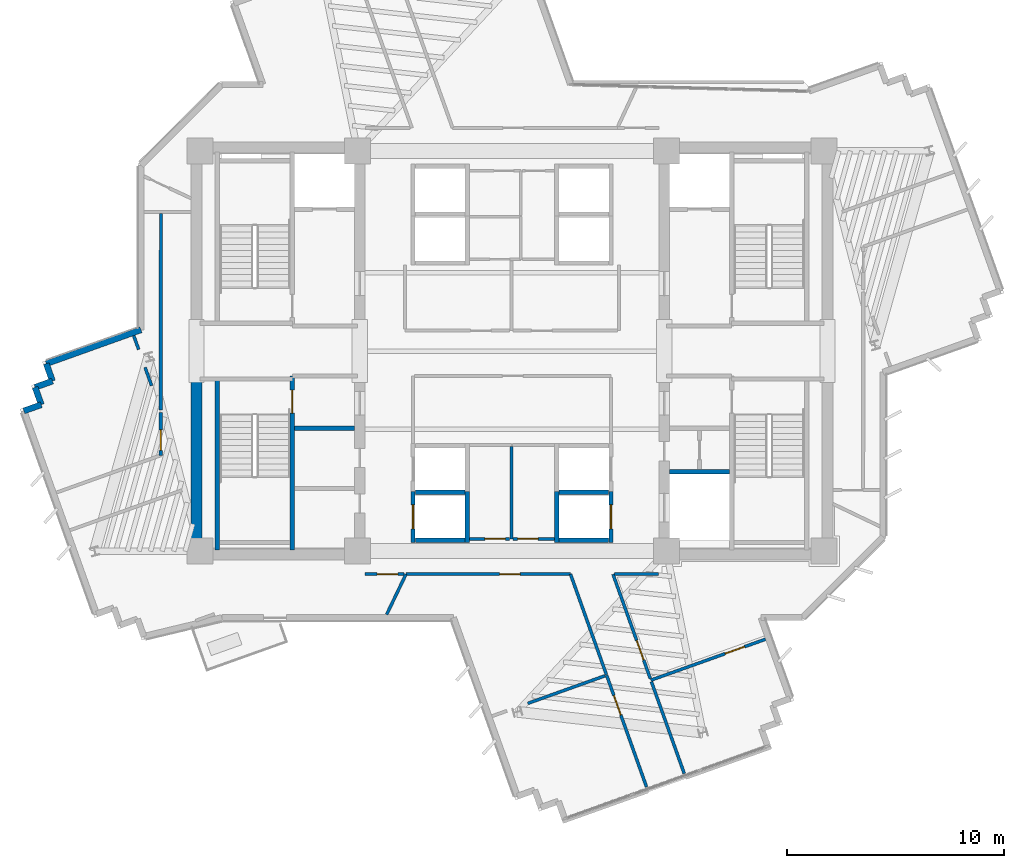
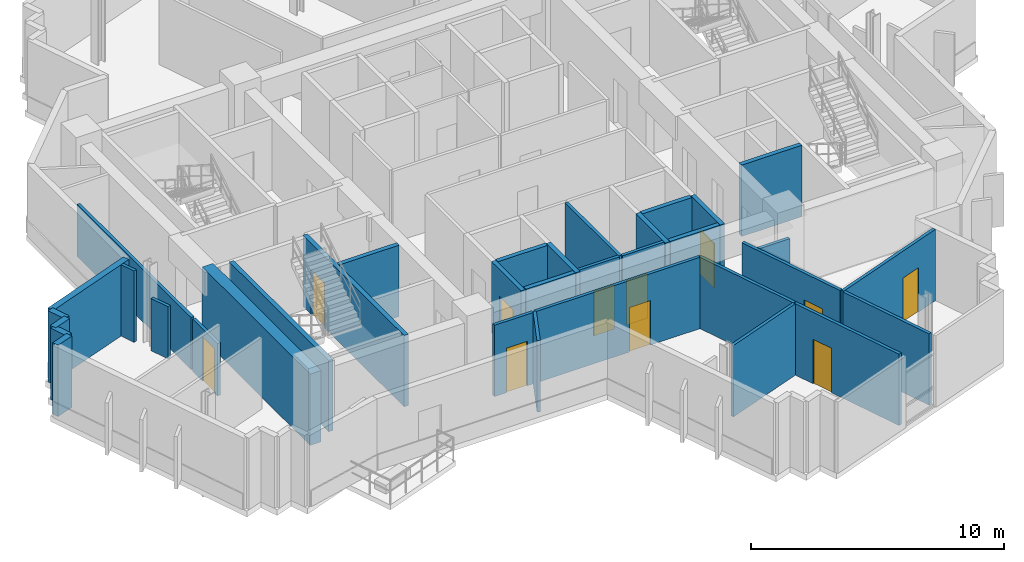
# One storey, part 6 of 13: 35 walls, 11 doors, 11 openings.
"""IFC4 building model written with IfcOpenShell, lengths in metres."""

from ifc_helpers import new_model, si_unit, direction, frame, frame_2d, origin, place, context, subcontext, project, spatial, rectangle, extrude, source, transform, mapped, material, layer, layer_set, type_object, element, fill, save


model = new_model("IFC4")

# Units and contexts
model_context = context("Model", 3, precision=1e-05, world=origin(), true_north=direction((0.0, 1.0)))
body_context = subcontext(model_context, "Body", "Model", "MODEL_VIEW")
ifc_project = project(units=[si_unit("LENGTHUNIT", "METRE"), si_unit("AREAUNIT", "SQUARE_METRE"), si_unit("VOLUMEUNIT", "CUBIC_METRE"), si_unit("PLANEANGLEUNIT", "RADIAN"), si_unit("MASSUNIT", "GRAM", prefix="KILO")], contexts=[model_context])

# Site, building, storey
site_placement = place(None, origin())
site = spatial("IfcSite", under=ifc_project, at=site_placement, CompositionType="ELEMENT")
building_placement = place(site_placement, origin())
building = spatial("IfcBuilding", under=site, at=building_placement, Name="Zahravan Cultural Tower", CompositionType="ELEMENT")
storey_placement = place(building_placement, frame((0.0, 0.0, 225.300048828125)))
storey = spatial("IfcBuildingStorey", under=building, at=storey_placement, Name="L53", CompositionType="ELEMENT", Elevation=225.300048828125)

# Wall, opening, door
ifc_material_1 = material(Name="Gypsum plasterboard partition")
ifc_layer_1 = layer(ifc_material_1, 0.139892578125)
ifc_layer_set_1 = layer_set([ifc_layer_1], Name="Gypsum plasterboard partition")
wall_type_1 = type_object("IfcWallType", Name="W-PART-140", PredefinedType="PARTITIONING", material=ifc_layer_set_1)
wall_1_placement = place(storey_placement, frame((35.89501953125, 18.360107421875, 0.0), z_axis=(0.0, 0.0, 1.0), x_axis=(-1.0, 0.0, 0.0)))
wall_1 = element("IfcWall", 1, at=wall_1_placement, inside=storey, type_object=wall_type_1, Name="L53 Interior Wall 065", PredefinedType="PARTITIONING", context=body_context, shape_type="SweptSolid", body=[
    extrude(rectangle(XDim=1.840087890625, YDim=0.139892578125, at=frame_2d((0.919921875, 0.0))), origin(), (0.0, 0.0, 1.0), 3.449951171875),
])
opening_1_placement = place(wall_1_placement, frame((0.19580078125, 0.0, 0.0)))
opening_1 = element("IfcOpeningElement", 2, at=opening_1_placement, cuts=wall_1, Name="Opening D-L53-18", PredefinedType="OPENING", context=body_context, shape_type="SweptSolid", body=[
    extrude(rectangle(XDim=0.949951171875, YDim=2.14990234375, at=frame_2d((0.47509765625, 1.074951171875))), frame((0.0, 0.079833984375, 0.0), z_axis=(0.0, -1.0, 0.0), x_axis=(1.0, 0.0, 0.0)), (0.0, 0.0, 1.0), 0.159912109375),
])
ifc_material_2 = material(Name="Anodised bronze-aluminium mullion", Category="aluminium")
door_type_1 = type_object("IfcDoorType", Name="DR-ROOM-950", OperationType="NOTDEFINED", PredefinedType="DOOR", material=ifc_material_2)
shared_shape_1 = source(origin(), body_context, "Body", "SweptSolid", [
    extrude(rectangle(XDim=0.949951171875, YDim=2.14990234375, at=frame_2d((0.47509765625, 1.074951171875))), frame((0.0, 0.02490234375, 0.0), z_axis=(0.0, -1.0, 0.0), x_axis=(1.0, 0.0, 0.0)), (0.0, 0.0, 1.0), 0.050048828125),
])
door_1_placement = place(opening_1_placement, origin())
door_1 = element("IfcDoor", 3, at=door_1_placement, inside=storey, type_object=door_type_1, Name="L53 Door D-L53-18", OperationType="SINGLE_SWING_RIGHT", OverallHeight=2.14990234375, OverallWidth=0.949951171875, PredefinedType="DOOR", context=body_context, shape_type="MappedRepresentation", body=[
    mapped(shared_shape_1, transform((0.0, 0.0, 0.0), x_axis=(1.0, 0.0, 0.0), y_axis=(0.0, 1.0, 0.0), z_axis=(0.0, 0.0, 1.0), scale=1.0)),
])
fill(opening_1, door_1)

wall_2_placement = place(storey_placement, frame((37.945068359375, 18.360107421875, 0.0), z_axis=(0.0, 0.0, 1.0), x_axis=(-1.0, 0.0, 0.0)))
wall_2 = element("IfcWall", 4, at=wall_2_placement, inside=storey, type_object=wall_type_1, Name="L53 Interior Wall 067", PredefinedType="PARTITIONING", context=body_context, shape_type="SweptSolid", body=[
    extrude(rectangle(XDim=1.900146484375, YDim=0.139892578125, at=frame_2d((0.9501953125, 0.0))), origin(), (0.0, 0.0, 1.0), 3.449951171875),
])
opening_2_placement = place(wall_2_placement, frame((0.740966796875, 0.0, 0.0)))
opening_2 = element("IfcOpeningElement", 5, at=opening_2_placement, cuts=wall_2, Name="Opening D-L53-19", PredefinedType="OPENING", context=body_context, shape_type="SweptSolid", body=[
    extrude(rectangle(XDim=0.949951171875, YDim=2.14990234375, at=frame_2d((0.47509765625, 1.074951171875))), frame((0.0, 0.079833984375, 0.0), z_axis=(0.0, -1.0, 0.0), x_axis=(1.0, 0.0, 0.0)), (0.0, 0.0, 1.0), 0.159912109375),
])
door_2_placement = place(opening_2_placement, origin())
door_2 = element("IfcDoor", 6, at=door_2_placement, inside=storey, type_object=door_type_1, Name="L53 Door D-L53-19", OperationType="SINGLE_SWING_LEFT", OverallHeight=2.14990234375, OverallWidth=0.949951171875, PredefinedType="DOOR", context=body_context, shape_type="MappedRepresentation", body=[
    mapped(shared_shape_1, transform((0.0, 0.0, 0.0), x_axis=(1.0, 0.0, 0.0), y_axis=(0.0, 1.0, 0.0), z_axis=(0.0, 0.0, 1.0), scale=1.0)),
])
fill(opening_2, door_2)

wall_3_placement = place(storey_placement, frame((42.3857421875, 11.8662109375, 0.0), z_axis=(0.0, 0.0, 1.0), x_axis=(0.94166093099, 0.336563056568, 0.0)))
wall_3 = element("IfcWall", 7, at=wall_3_placement, inside=storey, type_object=wall_type_1, Name="L53 Interior Wall 083", PredefinedType="PARTITIONING", context=body_context, shape_type="SweptSolid", body=[
    extrude(rectangle(XDim=5.594970703125, YDim=0.139892578125, at=frame_2d((2.79736328125, 0.0))), origin(), (0.0, 0.0, 1.0), 3.449951171875),
])
opening_3_placement = place(wall_3_placement, frame((3.623046875, 0.0, 0.0)))
opening_3 = element("IfcOpeningElement", 8, at=opening_3_placement, cuts=wall_3, Name="Opening D-L53-31", PredefinedType="OPENING", context=body_context, shape_type="SweptSolid", body=[
    extrude(rectangle(XDim=0.949951171875, YDim=2.14990234375, at=frame_2d((0.47509765625, 1.074951171875))), frame((0.0, 0.079833984375, 0.0), z_axis=(0.0, -1.0, 0.0), x_axis=(1.0, 0.0, 0.0)), (0.0, 0.0, 1.0), 0.159912109375),
])
door_3_placement = place(opening_3_placement, origin())
door_3 = element("IfcDoor", 9, at=door_3_placement, inside=storey, type_object=door_type_1, Name="L53 Door D-L53-31", OperationType="SINGLE_SWING_LEFT", OverallHeight=2.14990234375, OverallWidth=0.949951171875, PredefinedType="DOOR", context=body_context, shape_type="MappedRepresentation", body=[
    mapped(shared_shape_1, transform((0.0, 0.0, 0.0), x_axis=(1.0, 0.0, 0.0), y_axis=(0.0, 1.0, 0.0), z_axis=(0.0, 0.0, 1.0), scale=1.0)),
])
fill(opening_3, door_3)

wall_4_placement = place(storey_placement, frame((40.35009765625, 12.094482421875, 0.0), z_axis=(0.0, 0.0, 1.0), x_axis=(0.336563203689, -0.941660878407, 0.0)))
wall_4 = element("IfcWall", 10, at=wall_4_placement, inside=storey, type_object=wall_type_1, Name="L53 Interior Wall 089", PredefinedType="PARTITIONING", context=body_context, shape_type="SweptSolid", body=[
    extrude(rectangle(XDim=5.455078125, YDim=0.139892578125, at=frame_2d((2.7275390625, 0.0))), origin(), (0.0, 0.0, 1.0), 3.449951171875),
])
opening_4_placement = place(wall_4_placement, frame((0.9912109375, 0.0, 0.0)))
opening_4 = element("IfcOpeningElement", 11, at=opening_4_placement, cuts=wall_4, Name="Opening D-L53-27", PredefinedType="OPENING", context=body_context, shape_type="SweptSolid", body=[
    extrude(rectangle(XDim=0.949951171875, YDim=2.14990234375, at=frame_2d((0.47509765625, 1.074951171875))), frame((0.0, 0.079833984375, 0.0), z_axis=(0.0, -1.0, 0.0), x_axis=(1.0, 0.0, 0.0)), (0.0, 0.0, 1.0), 0.159912109375),
])
door_4_placement = place(opening_4_placement, origin())
door_4 = element("IfcDoor", 12, at=door_4_placement, inside=storey, type_object=door_type_1, Name="L53 Door D-L53-27", OperationType="SINGLE_SWING_LEFT", OverallHeight=2.14990234375, OverallWidth=0.949951171875, PredefinedType="DOOR", context=body_context, shape_type="MappedRepresentation", body=[
    mapped(shared_shape_1, transform((0.0, 0.0, 0.0), x_axis=(1.0, 0.0, 0.0), y_axis=(0.0, 1.0, 0.0), z_axis=(0.0, 0.0, 1.0), scale=1.0)),
])
fill(opening_4, door_4)

wall_5_placement = place(storey_placement, frame((19.85009765625, 24.1708984375, 0.0), z_axis=(0.0, 0.0, 1.0), x_axis=(0.0, -1.0, 0.0)))
wall_5 = element("IfcWall", 13, at=wall_5_placement, inside=storey, type_object=wall_type_1, Name="L53 Interior Wall 095", PredefinedType="PARTITIONING", context=body_context, shape_type="SweptSolid", body=[
    extrude(rectangle(XDim=1.9658203125, YDim=0.139892578125, at=frame_2d((0.98291015625, 0.0))), origin(), (0.0, 0.0, 1.0), 2.52294921875),
])
opening_5_placement = place(wall_5_placement, frame((0.79248046875, 0.0, 0.0)))
opening_5 = element("IfcOpeningElement", 14, at=opening_5_placement, cuts=wall_5, Name="Opening D-L53-24", PredefinedType="OPENING", context=body_context, shape_type="SweptSolid", body=[
    extrude(rectangle(XDim=0.949951171875, YDim=2.14990234375, at=frame_2d((0.47509765625, 1.074951171875))), frame((0.0, 0.079833984375, 0.0), z_axis=(0.0, -1.0, 0.0), x_axis=(1.0, 0.0, 0.0)), (0.0, 0.0, 1.0), 0.159912109375),
])
door_5_placement = place(opening_5_placement, origin())
door_5 = element("IfcDoor", 15, at=door_5_placement, inside=storey, type_object=door_type_1, Name="L53 Door D-L53-24", OperationType="SINGLE_SWING_RIGHT", OverallHeight=2.14990234375, OverallWidth=0.949951171875, PredefinedType="DOOR", context=body_context, shape_type="MappedRepresentation", body=[
    mapped(shared_shape_1, transform((0.0, 0.0, 0.0), x_axis=(1.0, 0.0, 0.0), y_axis=(0.0, 1.0, 0.0), z_axis=(0.0, 0.0, 1.0), scale=1.0)),
])
fill(opening_5, door_5)

wall_6_placement = place(storey_placement, frame((31.126220703125, 16.739990234375, 0.0), z_axis=(0.0, 0.0, 1.0), x_axis=(1.0, 0.0, 0.0)))
wall_6 = element("IfcWall", 16, at=wall_6_placement, inside=storey, type_object=wall_type_1, Name="L53 Interior Wall 097", PredefinedType="PARTITIONING", context=body_context, shape_type="SweptSolid", body=[
    extrude(rectangle(XDim=7.563720703125, YDim=0.139892578125, at=frame_2d((3.78173828125, 0.0))), origin(), (0.0, 0.0, 1.0), 3.449951171875),
])
opening_6_placement = place(wall_6_placement, frame((4.299072265625, 0.0, 0.0)))
opening_6 = element("IfcOpeningElement", 17, at=opening_6_placement, cuts=wall_6, Name="Opening D-L53-26", PredefinedType="OPENING", context=body_context, shape_type="SweptSolid", body=[
    extrude(rectangle(XDim=0.949951171875, YDim=2.14990234375, at=frame_2d((0.47509765625, 1.074951171875))), frame((0.0, 0.079833984375, 0.0), z_axis=(0.0, -1.0, 0.0), x_axis=(1.0, 0.0, 0.0)), (0.0, 0.0, 1.0), 0.159912109375),
])
door_6_placement = place(opening_6_placement, origin())
door_6 = element("IfcDoor", 18, at=door_6_placement, inside=storey, type_object=door_type_1, Name="L53 Door D-L53-26", OperationType="SINGLE_SWING_RIGHT", OverallHeight=2.14990234375, OverallWidth=0.949951171875, PredefinedType="DOOR", context=body_context, shape_type="MappedRepresentation", body=[
    mapped(shared_shape_1, transform((0.0, 0.0, 0.0), x_axis=(1.0, 0.0, 0.0), y_axis=(0.0, 1.0, 0.0), z_axis=(0.0, 0.0, 1.0), scale=1.0)),
])
fill(opening_6, door_6)

wall_7_placement = place(storey_placement, frame((42.360595703125, 11.93701171875, 0.0), z_axis=(0.0, 0.0, 1.0), x_axis=(-0.336588056289, 0.941651995359, 0.0)))
wall_7 = element("IfcWall", 19, at=wall_7_placement, inside=storey, type_object=wall_type_1, Name="L53 Interior Wall 100", PredefinedType="PARTITIONING", context=body_context, shape_type="SweptSolid", body=[
    extrude(rectangle(XDim=5.1005859375, YDim=0.139892578125, at=frame_2d((2.55029296875, 0.0))), origin(), (0.0, 0.0, 1.0), 3.449951171875),
])
opening_7_placement = place(wall_7_placement, frame((0.9130859375, 0.0, 0.0)))
opening_7 = element("IfcOpeningElement", 20, at=opening_7_placement, cuts=wall_7, Name="Opening D-L53-28", PredefinedType="OPENING", context=body_context, shape_type="SweptSolid", body=[
    extrude(rectangle(XDim=0.949951171875, YDim=2.14990234375, at=frame_2d((0.47509765625, 1.074951171875))), frame((0.0, 0.079833984375, 0.0), z_axis=(0.0, -1.0, 0.0), x_axis=(1.0, 0.0, 0.0)), (0.0, 0.0, 1.0), 0.159912109375),
])
door_7_placement = place(opening_7_placement, origin())
door_7 = element("IfcDoor", 21, at=door_7_placement, inside=storey, type_object=door_type_1, Name="L53 Door D-L53-28", OperationType="SINGLE_SWING_RIGHT", OverallHeight=2.14990234375, OverallWidth=0.949951171875, PredefinedType="DOOR", context=body_context, shape_type="MappedRepresentation", body=[
    mapped(shared_shape_1, transform((0.0, 0.0, 0.0), x_axis=(1.0, 0.0, 0.0), y_axis=(0.0, 1.0, 0.0), z_axis=(0.0, 0.0, 1.0), scale=1.0)),
])
fill(opening_7, door_7)

wall_8_placement = place(storey_placement, frame((29.251708984375, 16.74267578125, 0.0), z_axis=(0.0, 0.0, 1.0), x_axis=(0.999998876126, -0.00149924869, 0.0)))
wall_8 = element("IfcWall", 22, at=wall_8_placement, inside=storey, type_object=wall_type_1, Name="L53 Interior Wall 106", PredefinedType="PARTITIONING", context=body_context, shape_type="SweptSolid", body=[
    extrude(rectangle(XDim=1.791259765625, YDim=0.139892578125, at=frame_2d((0.8955078125, 0.0))), origin(), (0.0, 0.0, 1.0), 3.449951171875),
])
opening_8_placement = place(wall_8_placement, frame((0.546875, 0.0, 0.0)))
opening_8 = element("IfcOpeningElement", 23, at=opening_8_placement, cuts=wall_8, Name="Opening D-L53-25", PredefinedType="OPENING", context=body_context, shape_type="SweptSolid", body=[
    extrude(rectangle(XDim=0.949951171875, YDim=2.14990234375, at=frame_2d((0.47509765625, 1.074951171875))), frame((0.0, 0.079833984375, 0.0), z_axis=(0.0, -1.0, 0.0), x_axis=(1.0, 0.0, 0.0)), (0.0, 0.0, 1.0), 0.159912109375),
])
door_8_placement = place(opening_8_placement, origin())
door_8 = element("IfcDoor", 24, at=door_8_placement, inside=storey, type_object=door_type_1, Name="L53 Door D-L53-25", OperationType="SINGLE_SWING_LEFT", OverallHeight=2.14990234375, OverallWidth=0.949951171875, PredefinedType="DOOR", context=body_context, shape_type="MappedRepresentation", body=[
    mapped(shared_shape_1, transform((0.0, 0.0, 0.0), x_axis=(1.0, 0.0, 0.0), y_axis=(0.0, 1.0, 0.0), z_axis=(0.0, 0.0, 1.0), scale=1.0)),
])
fill(opening_8, door_8)

ifc_material_3 = material(Name="Concrete C45/55", Category="concrete")
ifc_layer_2 = layer(ifc_material_3, 0.199951171875)
ifc_layer_set_2 = layer_set([ifc_layer_2], Name="Concrete C45/55")
wall_type_2 = type_object("IfcWallType", Name="W-SHAFT-200", PredefinedType="SOLIDWALL", material=ifc_layer_set_2)
wall_9_placement = place(storey_placement, frame((25.89990234375, 17.85009765625, 0.0), z_axis=(0.0, 0.0, 1.0), x_axis=(0.0, 1.0, 0.0)))
wall_9 = element("IfcWall", 25, at=wall_9_placement, inside=storey, type_object=wall_type_2, Name="L53 Interior Wall 005", PredefinedType="SOLIDWALL", context=body_context, shape_type="SweptSolid", body=[
    extrude(rectangle(XDim=8.0, YDim=0.199951171875, at=frame_2d((4.0, 0.0))), origin(), (0.0, 0.0, 1.0), 3.449951171875),
])
opening_9_placement = place(wall_9_placement, frame((6.300048828125, 0.0, 0.0)))
opening_9 = element("IfcOpeningElement", 26, at=opening_9_placement, cuts=wall_9, Name="Opening D-L53-04", PredefinedType="OPENING", context=body_context, shape_type="SweptSolid", body=[
    extrude(rectangle(XDim=1.050048828125, YDim=2.14990234375, at=frame_2d((0.52490234375, 1.074951171875))), frame((0.0, 0.10986328125, 0.0), z_axis=(0.0, -1.0, 0.0), x_axis=(1.0, 0.0, 0.0)), (0.0, 0.0, 1.0), 0.219970703125),
])
ifc_material_4 = material(Name="Steel ASTM A572 Grade 50", Category="steel")
door_type_2 = type_object("IfcDoorType", Name="DR-STAIR-1050", OperationType="NOTDEFINED", PredefinedType="DOOR", material=ifc_material_4)
shared_shape_2 = source(origin(), body_context, "Body", "SweptSolid", [
    extrude(rectangle(XDim=1.050048828125, YDim=2.14990234375, at=frame_2d((0.52490234375, 1.074951171875))), frame((0.0, 0.02490234375, 0.0), z_axis=(0.0, -1.0, 0.0), x_axis=(1.0, 0.0, 0.0)), (0.0, 0.0, 1.0), 0.050048828125),
])
door_9_placement = place(opening_9_placement, origin())
door_9 = element("IfcDoor", 27, at=door_9_placement, inside=storey, type_object=door_type_2, Name="L53 Door D-L53-04", OperationType="SINGLE_SWING_RIGHT", OverallHeight=2.14990234375, OverallWidth=1.050048828125, PredefinedType="DOOR", context=body_context, shape_type="MappedRepresentation", body=[
    mapped(shared_shape_2, transform((0.0, 0.0, 0.0), x_axis=(1.0, 0.0, 0.0), y_axis=(0.0, 1.0, 0.0), z_axis=(0.0, 0.0, 1.0), scale=1.0)),
])
fill(opening_9, door_9)

wall_10_placement = place(storey_placement, frame((31.449951171875, 18.199951171875, 0.0), z_axis=(0.0, 0.0, 1.0), x_axis=(0.0, 1.0, 0.0)))
wall_10 = element("IfcWall", 28, at=wall_10_placement, inside=storey, type_object=wall_type_2, Name="L53 Interior Wall 046", PredefinedType="SOLIDWALL", context=body_context, shape_type="SweptSolid", body=[
    extrude(rectangle(XDim=2.35009765625, YDim=0.199951171875, at=frame_2d((1.175048828125, 0.0))), origin(), (0.0, 0.0, 1.0), 3.449951171875),
])
opening_10_placement = place(wall_10_placement, frame((0.625, 0.0, 0.0)))
opening_10 = element("IfcOpeningElement", 29, at=opening_10_placement, cuts=wall_10, Name="Opening LD-L53-05", PredefinedType="OPENING", context=body_context, shape_type="SweptSolid", body=[
    extrude(rectangle(XDim=1.10009765625, YDim=2.14990234375, at=frame_2d((0.550048828125, 1.074951171875))), frame((0.0, 0.10986328125, 0.0), z_axis=(0.0, -1.0, 0.0), x_axis=(1.0, 0.0, 0.0)), (0.0, 0.0, 1.0), 0.219970703125),
])
door_type_3 = type_object("IfcDoorType", Name="DR-LIFT-1100", OperationType="DOUBLE_DOOR_SLIDING", PredefinedType="DOOR", material=ifc_material_4)
shared_shape_3 = source(origin(), body_context, "Body", "SweptSolid", [
    extrude(rectangle(XDim=1.10009765625, YDim=2.14990234375, at=frame_2d((0.550048828125, 1.074951171875))), frame((0.0, 0.02490234375, 0.0), z_axis=(0.0, -1.0, 0.0), x_axis=(1.0, 0.0, 0.0)), (0.0, 0.0, 1.0), 0.050048828125),
])
door_10_placement = place(opening_10_placement, origin())
door_10 = element("IfcDoor", 30, at=door_10_placement, inside=storey, type_object=door_type_3, Name="L53 Door LD-L53-05", OperationType="DOUBLE_DOOR_SLIDING", OverallHeight=2.14990234375, OverallWidth=1.10009765625, PredefinedType="DOOR", context=body_context, shape_type="MappedRepresentation", body=[
    mapped(shared_shape_3, transform((0.0, 0.0, 0.0), x_axis=(1.0, 0.0, 0.0), y_axis=(0.0, 1.0, 0.0), z_axis=(0.0, 0.0, 1.0), scale=1.0)),
])
fill(opening_10, door_10)

wall_11_placement = place(storey_placement, frame((40.550048828125, 18.199951171875, 0.0), z_axis=(0.0, 0.0, 1.0), x_axis=(0.0, 1.0, 0.0)))
wall_11 = element("IfcWall", 31, at=wall_11_placement, inside=storey, type_object=wall_type_2, Name="L53 Interior Wall 054", PredefinedType="SOLIDWALL", context=body_context, shape_type="SweptSolid", body=[
    extrude(rectangle(XDim=2.35009765625, YDim=0.199951171875, at=frame_2d((1.175048828125, 0.0))), origin(), (0.0, 0.0, 1.0), 3.449951171875),
])
opening_11_placement = place(wall_11_placement, frame((0.625, 0.0, 0.0)))
opening_11 = element("IfcOpeningElement", 32, at=opening_11_placement, cuts=wall_11, Name="Opening LD-L53-07", PredefinedType="OPENING", context=body_context, shape_type="SweptSolid", body=[
    extrude(rectangle(XDim=1.10009765625, YDim=2.14990234375, at=frame_2d((0.550048828125, 1.074951171875))), frame((0.0, 0.10986328125, 0.0), z_axis=(0.0, -1.0, 0.0), x_axis=(1.0, 0.0, 0.0)), (0.0, 0.0, 1.0), 0.219970703125),
])
door_11_placement = place(opening_11_placement, origin())
door_11 = element("IfcDoor", 33, at=door_11_placement, inside=storey, type_object=door_type_3, Name="L53 Door LD-L53-07", OperationType="DOUBLE_DOOR_SLIDING", OverallHeight=2.14990234375, OverallWidth=1.10009765625, PredefinedType="DOOR", context=body_context, shape_type="MappedRepresentation", body=[
    mapped(shared_shape_3, transform((0.0, 0.0, 0.0), x_axis=(1.0, 0.0, 0.0), y_axis=(0.0, 1.0, 0.0), z_axis=(0.0, 0.0, 1.0), scale=1.0)),
])
fill(opening_11, door_11)

# Walls
ifc_material_5 = material(Name="Concrete C60/75", Category="concrete")
ifc_layer_3 = layer(ifc_material_5, 0.5)
ifc_layer_set_3 = layer_set([ifc_layer_3], Name="Concrete C60/75")
wall_type_3 = type_object("IfcWallType", Name="CW-SHEAR-500-C60", PredefinedType="SHEAR", material=ifc_layer_set_3)
shared_shape_4 = source(origin(), body_context, "Body", "SweptSolid", [
    extrude(rectangle(XDim=8.550048828125, YDim=0.5, at=frame_2d((4.27490234375, 0.0))), origin(), (0.0, 0.0, 1.0), 3.449951171875),
])
wall_12_placement = place(storey_placement, frame((21.5, 17.39990234375, 0.0), z_axis=(0.0, 0.0, 1.0), x_axis=(0.0, 1.0, 0.0)))
element("IfcWall", 34, at=wall_12_placement, inside=storey, type_object=wall_type_3, Name="L53 Core Shear Wall CW-W-WS-L53", PredefinedType="SHEAR", context=body_context, shape_type="MappedRepresentation", body=[
    mapped(shared_shape_4, transform((0.0, 0.0, 0.0), x_axis=(1.0, 0.0, 0.0), y_axis=(0.0, 1.0, 0.0), z_axis=(0.0, 0.0, 1.0), scale=1.0)),
])
ifc_material_6 = material(Name="Precast concrete C40/50", Category="concrete")
ifc_layer_4 = layer(ifc_material_6, 0.280029296875)
ifc_layer_set_4 = layer_set([ifc_layer_4], Name="Precast concrete C40/50")
wall_type_4 = type_object("IfcWallType", Name="EW-TC-280", PredefinedType="SOLIDWALL", material=ifc_layer_set_4)
shared_shape_5 = source(origin(), body_context, "Body", "SweptSolid", [
    extrude(rectangle(XDim=0.849853515625, YDim=0.280029296875, at=frame_2d((0.4248046875, 0.0))), origin(), (0.0, 0.0, 1.0), 3.449951171875),
])
for number, where, z_axis, x_axis, name in (
    (35, (13.5576171875, 24.246337890625, 0.0), (0.0, 0.0, 1.0), (0.941624872587, 0.33666392638, 0.0), "L53 Exterior Masonry Frame Wall 32"),
    (36, (14.072021484375, 25.3330078125, 0.0), (0.0, 0.0, 1.0), (0.941715910258, 0.336409191858, 0.0), "L53 Exterior Masonry Frame Wall 34"),
):
    element("IfcWall", number, at=place(storey_placement, frame(where, z_axis=z_axis, x_axis=x_axis)), inside=storey, type_object=wall_type_4, Name=name, PredefinedType="SOLIDWALL", context=body_context, shape_type="MappedRepresentation", body=[
        mapped(shared_shape_5, transform((0.0, 0.0, 0.0), x_axis=(1.0, 0.0, 0.0), y_axis=(0.0, 1.0, 0.0), z_axis=(0.0, 0.0, 1.0), scale=1.0)),
    ])
shared_shape_6 = source(origin(), body_context, "Body", "SweptSolid", [
    extrude(rectangle(XDim=0.85009765625, YDim=0.280029296875, at=frame_2d((0.425048828125, 0.0))), origin(), (0.0, 0.0, 1.0), 3.449951171875),
])
for number, where, z_axis, x_axis, name in (
    (37, (14.35791015625, 24.532470703125, 0.0), (0.0, 0.0, 1.0), (-0.336318202891, 0.941748409292, 0.0), "L53 Exterior Masonry Frame Wall 33"),
    (38, (14.872314453125, 25.618896484375, 0.0), (0.0, 0.0, 1.0), (-0.336572886112, 0.941657417713, 0.0), "L53 Exterior Masonry Frame Wall 35"),
):
    element("IfcWall", number, at=place(storey_placement, frame(where, z_axis=z_axis, x_axis=x_axis)), inside=storey, type_object=wall_type_4, Name=name, PredefinedType="SOLIDWALL", context=body_context, shape_type="MappedRepresentation", body=[
        mapped(shared_shape_6, transform((0.0, 0.0, 0.0), x_axis=(1.0, 0.0, 0.0), y_axis=(0.0, 1.0, 0.0), z_axis=(0.0, 0.0, 1.0), scale=1.0)),
    ])
shared_shape_7 = source(origin(), body_context, "Body", "SweptSolid", [
    extrude(rectangle(XDim=4.62353515625, YDim=0.280029296875, at=frame_2d((2.311767578125, 0.0))), origin(), (0.0, 0.0, 1.0), 3.449951171875),
])
wall_13_placement = place(storey_placement, frame((14.586181640625, 26.41943359375, 0.0), z_axis=(0.0, 0.0, 1.0), x_axis=(0.941673795185, 0.336527062004, 0.0)))
element("IfcWall", 39, at=wall_13_placement, inside=storey, type_object=wall_type_4, Name="L53 Exterior Masonry Frame Wall 36", PredefinedType="SOLIDWALL", context=body_context, shape_type="MappedRepresentation", body=[
    mapped(shared_shape_7, transform((0.0, 0.0, 0.0), x_axis=(1.0, 0.0, 0.0), y_axis=(0.0, 1.0, 0.0), z_axis=(0.0, 0.0, 1.0), scale=1.0)),
])
shared_shape_8 = source(origin(), body_context, "Body", "SweptSolid", [
    extrude(rectangle(XDim=7.869873046875, YDim=0.199951171875, at=frame_2d((3.93505859375, 0.0))), origin(), (0.0, 0.0, 1.0), 3.449951171875),
])
wall_14_placement = place(storey_placement, frame((22.449951171875, 17.85009765625, 0.0), z_axis=(0.0, 0.0, 1.0), x_axis=(0.0, 1.0, 0.0)))
element("IfcWall", 40, at=wall_14_placement, inside=storey, type_object=wall_type_2, Name="L53 Interior Wall 001", PredefinedType="SOLIDWALL", context=body_context, shape_type="MappedRepresentation", body=[
    mapped(shared_shape_8, transform((0.0, 0.0, 0.0), x_axis=(1.0, 0.0, 0.0), y_axis=(0.0, 1.0, 0.0), z_axis=(0.0, 0.0, 1.0), scale=1.0)),
])
shared_shape_9 = source(origin(), body_context, "Body", "SweptSolid", [
    extrude(rectangle(XDim=2.75, YDim=0.199951171875, at=frame_2d((1.375, 0.0))), origin(), (0.0, 0.0, 1.0), 3.449951171875),
])
for number, where, z_axis, x_axis, name in (
    (41, (26.0, 23.449951171875, 0.0), (0.0, 0.0, 1.0), (1.0, 0.0, 0.0), "L53 Interior Wall 023"),
    (42, (43.25, 21.449951171875, 0.0), (0.0, 0.0, 1.0), (1.0, 0.0, 0.0), "L53 Interior Wall 025"),
):
    element("IfcWall", number, at=place(storey_placement, frame(where, z_axis=z_axis, x_axis=x_axis)), inside=storey, type_object=wall_type_2, Name=name, PredefinedType="SOLIDWALL", context=body_context, shape_type="MappedRepresentation", body=[
        mapped(shared_shape_9, transform((0.0, 0.0, 0.0), x_axis=(1.0, 0.0, 0.0), y_axis=(0.0, 1.0, 0.0), z_axis=(0.0, 0.0, 1.0), scale=1.0)),
    ])
shared_shape_10 = source(origin(), body_context, "Body", "SweptSolid", [
    extrude(rectangle(XDim=2.260009765625, YDim=0.199951171875, at=frame_2d((1.1298828125, 0.0))), origin(), (0.0, 0.0, 1.0), 3.449951171875),
])
for number, where, z_axis, x_axis, name in (
    (43, (31.570068359375, 20.5, 0.0), (0.0, 0.0, 1.0), (1.0, 0.0, 0.0), "L53 Interior Wall 044"),
    (44, (31.570068359375, 18.300048828125, 0.0), (0.0, 0.0, 1.0), (1.0, 0.0, 0.0), "L53 Interior Wall 048"),
    (45, (38.169921875, 20.5, 0.0), (0.0, 0.0, 1.0), (1.0, 0.0, 0.0), "L53 Interior Wall 051"),
    (46, (38.169921875, 18.300048828125, 0.0), (0.0, 0.0, 1.0), (1.0, 0.0, 0.0), "L53 Interior Wall 055"),
):
    element("IfcWall", number, at=place(storey_placement, frame(where, z_axis=z_axis, x_axis=x_axis)), inside=storey, type_object=wall_type_2, Name=name, PredefinedType="SOLIDWALL", context=body_context, shape_type="MappedRepresentation", body=[
        mapped(shared_shape_10, transform((0.0, 0.0, 0.0), x_axis=(1.0, 0.0, 0.0), y_axis=(0.0, 1.0, 0.0), z_axis=(0.0, 0.0, 1.0), scale=1.0)),
    ])
shared_shape_11 = source(origin(), body_context, "Body", "SweptSolid", [
    extrude(rectangle(XDim=2.35009765625, YDim=0.199951171875, at=frame_2d((1.175048828125, 0.0))), origin(), (0.0, 0.0, 1.0), 3.449951171875),
])
for number, where, z_axis, x_axis, name in (
    (47, (33.949951171875, 18.199951171875, 0.0), (0.0, 0.0, 1.0), (0.0, 1.0, 0.0), "L53 Interior Wall 047"),
    (48, (38.050048828125, 18.199951171875, 0.0), (0.0, 0.0, 1.0), (0.0, 1.0, 0.0), "L53 Interior Wall 053"),
):
    element("IfcWall", number, at=place(storey_placement, frame(where, z_axis=z_axis, x_axis=x_axis)), inside=storey, type_object=wall_type_2, Name=name, PredefinedType="SOLIDWALL", context=body_context, shape_type="MappedRepresentation", body=[
        mapped(shared_shape_11, transform((0.0, 0.0, 0.0), x_axis=(1.0, 0.0, 0.0), y_axis=(0.0, 1.0, 0.0), z_axis=(0.0, 0.0, 1.0), scale=1.0)),
    ])
shared_shape_12 = source(origin(), body_context, "Body", "SweptSolid", [
    extrude(rectangle(XDim=4.244873046875, YDim=0.139892578125, at=frame_2d((2.12255859375, 0.0))), origin(), (0.0, 0.0, 1.0), 3.449951171875),
])
wall_15_placement = place(storey_placement, frame((35.969970703125, 22.60498046875, 0.0), z_axis=(0.0, 0.0, 1.0), x_axis=(0.0, -1.0, 0.0)))
element("IfcWall", 49, at=wall_15_placement, inside=storey, type_object=wall_type_1, Name="L53 Interior Wall 064", PredefinedType="PARTITIONING", context=body_context, shape_type="MappedRepresentation", body=[
    mapped(shared_shape_12, transform((0.0, 0.0, 0.0), x_axis=(1.0, 0.0, 0.0), y_axis=(0.0, 1.0, 0.0), z_axis=(0.0, 0.0, 1.0), scale=1.0)),
])
shared_shape_13 = source(origin(), body_context, "Body", "SweptSolid", [
    extrude(rectangle(XDim=9.037841796875, YDim=0.139892578125, at=frame_2d((4.51904296875, 0.0))), origin(), (0.0, 0.0, 1.0), 2.52294921875),
])
wall_16_placement = place(storey_placement, frame((19.851318359375, 33.3203125, 0.0), z_axis=(0.0, 0.0, 1.0), x_axis=(-0.000135065776, -0.999999990879, 0.0)))
element("IfcWall", 50, at=wall_16_placement, inside=storey, type_object=wall_type_1, Name="L53 Interior Wall 069", PredefinedType="PARTITIONING", context=body_context, shape_type="MappedRepresentation", body=[
    mapped(shared_shape_13, transform((0.0, 0.0, 0.0), x_axis=(1.0, 0.0, 0.0), y_axis=(0.0, 1.0, 0.0), z_axis=(0.0, 0.0, 1.0), scale=1.0)),
])
shared_shape_14 = source(origin(), body_context, "Body", "SweptSolid", [
    extrude(rectangle(XDim=0.89599609375, YDim=0.139892578125, at=frame_2d((0.447998046875, 0.0))), origin(), (0.0, 0.0, 1.0), 2.52294921875),
])
wall_17_placement = place(storey_placement, frame((19.43017578125, 25.4052734375, 0.0), z_axis=(0.0, 0.0, 1.0), x_axis=(-0.336509001165, 0.941680249413, 0.0)))
element("IfcWall", 51, at=wall_17_placement, inside=storey, type_object=wall_type_1, Name="L53 Interior Wall 070", PredefinedType="PARTITIONING", context=body_context, shape_type="MappedRepresentation", body=[
    mapped(shared_shape_14, transform((0.0, 0.0, 0.0), x_axis=(1.0, 0.0, 0.0), y_axis=(0.0, 1.0, 0.0), z_axis=(0.0, 0.0, 1.0), scale=1.0)),
])
shared_shape_15 = source(origin(), body_context, "Body", "SweptSolid", [
    extrude(rectangle(XDim=0.673828125, YDim=0.139892578125, at=frame_2d((0.3369140625, 0.0))), origin(), (0.0, 0.0, 1.0), 3.449951171875),
])
wall_18_placement = place(storey_placement, frame((18.835693359375, 27.068603515625, 0.0), z_axis=(0.0, 0.0, 1.0), x_axis=(-0.336588856473, 0.941651709337, 0.0)))
element("IfcWall", 52, at=wall_18_placement, inside=storey, type_object=wall_type_1, Name="L53 Interior Wall 071", PredefinedType="PARTITIONING", context=body_context, shape_type="MappedRepresentation", body=[
    mapped(shared_shape_15, transform((0.0, 0.0, 0.0), x_axis=(1.0, 0.0, 0.0), y_axis=(0.0, 1.0, 0.0), z_axis=(0.0, 0.0, 1.0), scale=1.0)),
])
shared_shape_16 = source(origin(), body_context, "Body", "SweptSolid", [
    extrude(rectangle(XDim=4.480224609375, YDim=0.139892578125, at=frame_2d((2.240234375, 0.0))), origin(), (0.0, 0.0, 1.0), 3.449951171875),
])
wall_19_placement = place(storey_placement, frame((43.918701171875, 7.576904296875, 0.0), z_axis=(0.0, 0.0, 1.0), x_axis=(-0.336557324255, 0.941662979781, 0.0)))
element("IfcWall", 53, at=wall_19_placement, inside=storey, type_object=wall_type_1, Name="L53 Interior Wall 085", PredefinedType="PARTITIONING", context=body_context, shape_type="MappedRepresentation", body=[
    mapped(shared_shape_16, transform((0.0, 0.0, 0.0), x_axis=(1.0, 0.0, 0.0), y_axis=(0.0, 1.0, 0.0), z_axis=(0.0, 0.0, 1.0), scale=1.0)),
])
shared_shape_17 = source(origin(), body_context, "Body", "SweptSolid", [
    extrude(rectangle(XDim=3.7744140625, YDim=0.139892578125, at=frame_2d((1.88720703125, 0.0))), origin(), (0.0, 0.0, 1.0), 3.449951171875),
])
wall_20_placement = place(storey_placement, frame((36.725341796875, 10.799072265625, 0.0), z_axis=(0.0, 0.0, 1.0), x_axis=(0.94166578898, 0.336549464216, 0.0)))
element("IfcWall", 54, at=wall_20_placement, inside=storey, type_object=wall_type_1, Name="L53 Interior Wall 092", PredefinedType="PARTITIONING", context=body_context, shape_type="MappedRepresentation", body=[
    mapped(shared_shape_17, transform((0.0, 0.0, 0.0), x_axis=(1.0, 0.0, 0.0), y_axis=(0.0, 1.0, 0.0), z_axis=(0.0, 0.0, 1.0), scale=1.0)),
])
shared_shape_18 = source(origin(), body_context, "Body", "SweptSolid", [
    extrude(rectangle(XDim=4.913330078125, YDim=0.139892578125, at=frame_2d((2.45654296875, 0.0))), origin(), (0.0, 0.0, 1.0), 3.449951171875),
])
wall_21_placement = place(storey_placement, frame((38.68994140625, 16.739990234375, 0.0), z_axis=(0.0, 0.0, 1.0), x_axis=(0.336547288081, -0.941666566724, 0.0)))
element("IfcWall", 55, at=wall_21_placement, inside=storey, type_object=wall_type_1, Name="L53 Interior Wall 098", PredefinedType="PARTITIONING", context=body_context, shape_type="MappedRepresentation", body=[
    mapped(shared_shape_18, transform((0.0, 0.0, 0.0), x_axis=(1.0, 0.0, 0.0), y_axis=(0.0, 1.0, 0.0), z_axis=(0.0, 0.0, 1.0), scale=1.0)),
])
shared_shape_19 = source(origin(), body_context, "Body", "SweptSolid", [
    extrude(rectangle(XDim=2.056884765625, YDim=0.139892578125, at=frame_2d((1.0283203125, 0.0))), origin(), (0.0, 0.0, 1.0), 3.449951171875),
])
wall_22_placement = place(storey_placement, frame((30.2373046875, 14.885009765625, 0.0), z_axis=(0.0, 0.0, 1.0), x_axis=(0.43214833388, 0.90180253799, 0.0)))
element("IfcWall", 56, at=wall_22_placement, inside=storey, type_object=wall_type_1, Name="L53 Interior Wall 099", PredefinedType="PARTITIONING", context=body_context, shape_type="MappedRepresentation", body=[
    mapped(shared_shape_19, transform((0.0, 0.0, 0.0), x_axis=(1.0, 0.0, 0.0), y_axis=(0.0, 1.0, 0.0), z_axis=(0.0, 0.0, 1.0), scale=1.0)),
])
shared_shape_20 = source(origin(), body_context, "Body", "SweptSolid", [
    extrude(rectangle(XDim=2.023193359375, YDim=0.139892578125, at=frame_2d((1.01171875, 0.0))), origin(), (0.0, 0.0, 1.0), 2.908935546875),
])
wall_23_placement = place(storey_placement, frame((40.723388671875, 16.739990234375, 0.0), z_axis=(0.0, 0.0, 1.0), x_axis=(0.999999817982, 0.000603354542, 0.0)))
element("IfcWall", 57, at=wall_23_placement, inside=storey, type_object=wall_type_1, Name="L53 Interior Wall 101", PredefinedType="PARTITIONING", context=body_context, shape_type="MappedRepresentation", body=[
    mapped(shared_shape_20, transform((0.0, 0.0, 0.0), x_axis=(1.0, 0.0, 0.0), y_axis=(0.0, 1.0, 0.0), z_axis=(0.0, 0.0, 1.0), scale=1.0)),
])

save(model, "model.ifc")
